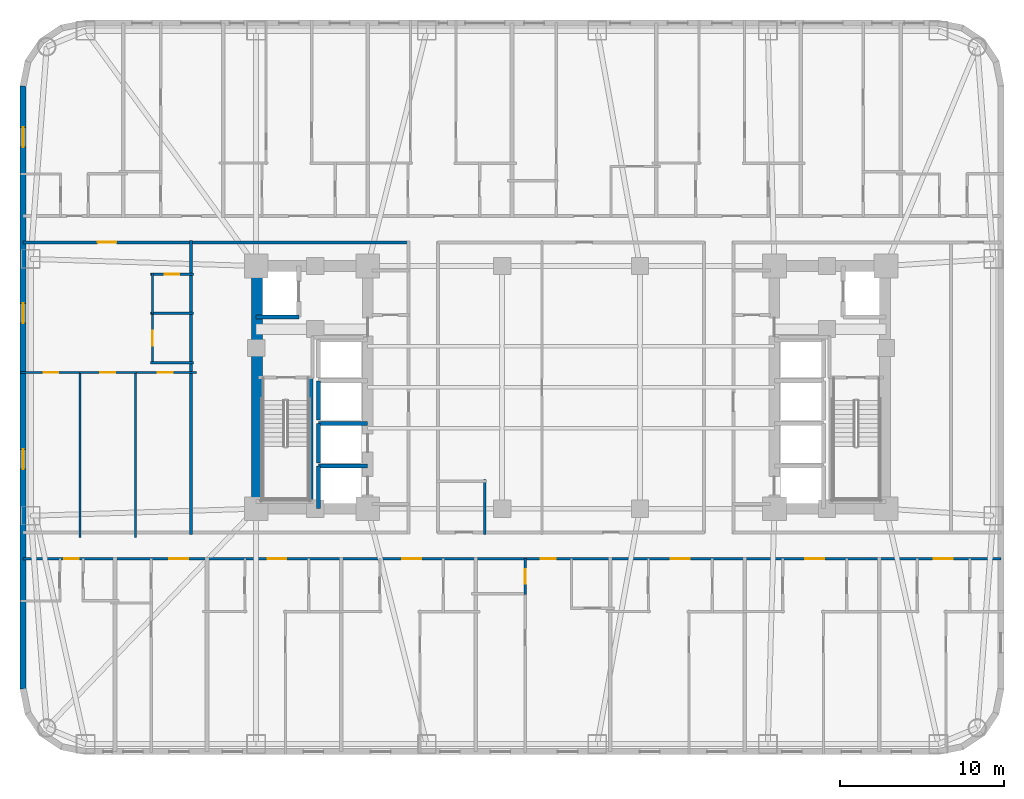
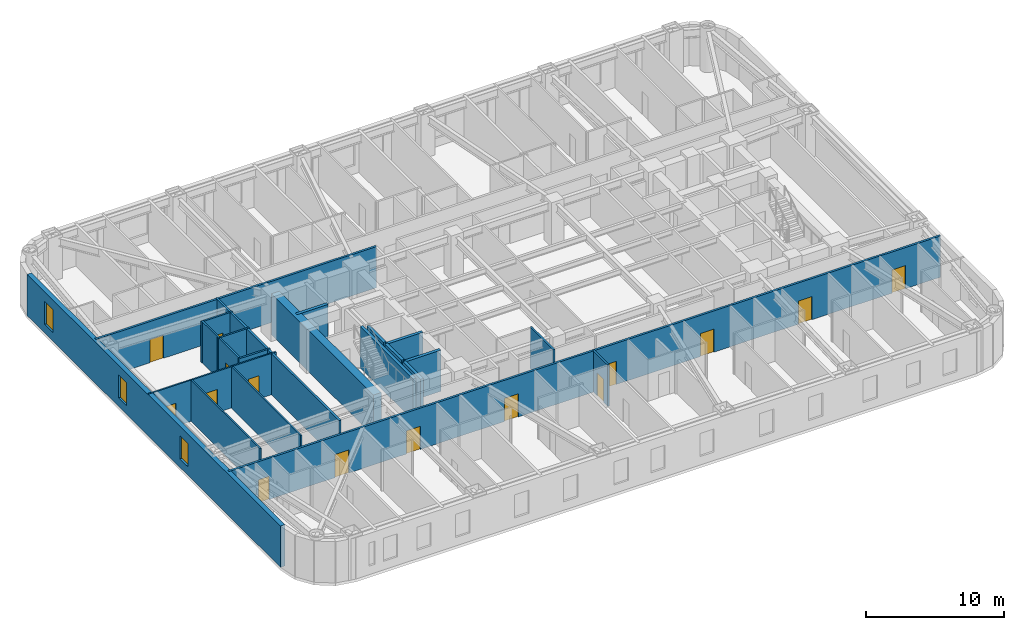
# One storey, part 4 of 12: 24 walls, 15 doors, 3 windows, 18 openings.
"""IFC4 building model written with IfcOpenShell, lengths in metres."""

from ifc_helpers import new_model, si_unit, direction, frame, frame_2d, origin, place, context, subcontext, project, spatial, rectangle, extrude, material, layer, layer_set, type_object, element, fill, save


model = new_model("IFC4")

# Units and contexts
model_context = context("Model", 3, precision=1e-05, world=origin(), true_north=direction((0.0, 1.0)))
body_context = subcontext(model_context, "Body", "Model", "MODEL_VIEW")
ifc_project = project(units=[si_unit("LENGTHUNIT", "METRE"), si_unit("AREAUNIT", "SQUARE_METRE"), si_unit("VOLUMEUNIT", "CUBIC_METRE"), si_unit("PLANEANGLEUNIT", "RADIAN"), si_unit("MASSUNIT", "GRAM", prefix="KILO")], contexts=[model_context])

# Site, building, storey
site_placement = place(None, origin())
site = spatial("IfcSite", under=ifc_project, at=site_placement, CompositionType="ELEMENT")
building_placement = place(site_placement, origin())
building = spatial("IfcBuilding", under=site, at=building_placement, Name="Voryun Gate Residences", CompositionType="ELEMENT")
storey_placement = place(building_placement, frame((0.0, 0.0, 72.800048828125)))
storey = spatial("IfcBuildingStorey", under=building, at=storey_placement, Name="L17", CompositionType="ELEMENT", Elevation=72.800048828125)

# Wall
ifc_material_1 = material(Name="Concrete C60/75", Category="concrete")
ifc_layer_1 = layer(ifc_material_1, 0.64990234375, Name="CW_CORE_650")
ifc_layer_set_1 = layer_set([ifc_layer_1], Name="Concrete C60/75")
wall_type_1 = type_object("IfcWallType", Name="CW_CORE_650", PredefinedType="SHEAR", material=ifc_layer_set_1)
wall_1_placement = place(storey_placement, frame((-19.14501953125, -7.39990234375, 0.0), z_axis=(0.0, 0.0, 1.0), x_axis=(0.0, 1.0, 0.0)))
element("IfcWall", 1, at=wall_1_placement, inside=storey, type_object=wall_type_1, Name="L17 Core shear wall CW-L17-WW", PredefinedType="SHEAR", context=body_context, shape_type="SweptSolid", body=[
    extrude(rectangle(XDim=14.7998046875, YDim=0.64990234375, at=frame_2d((7.39990234375, 0.0))), origin(), (0.0, 0.0, 1.0), 3.64990234375),
])

# Wall, opening, door
ifc_material_2 = material(Name="Gypsum acoustic fireboard")
ifc_layer_2 = layer(ifc_material_2, 0.179931640625, Name="W_CORR_RATED_180")
ifc_layer_set_2 = layer_set([ifc_layer_2], Name="Gypsum acoustic fireboard")
wall_type_2 = type_object("IfcWallType", Name="W_CORR_RATED_180", PredefinedType="PARTITIONING", material=ifc_layer_set_2)
wall_2_placement = place(storey_placement, frame((-33.409912109375, 8.840087890625, 0.0), z_axis=(0.0, 0.0, 1.0), x_axis=(1.0, 0.0, 0.0)))
wall_2 = element("IfcWall", 2, at=wall_2_placement, inside=storey, type_object=wall_type_2, Name="Partition wall WP-L17-CWING-WN", PredefinedType="PARTITIONING", context=body_context, shape_type="SweptSolid", body=[
    extrude(rectangle(XDim=23.530029296875, YDim=0.179931640625, at=frame_2d((11.76513671875, 0.0))), origin(), (0.0, 0.0, 1.0), 3.64990234375),
])
opening_1_placement = place(wall_2_placement, frame((4.540283203125, 0.0, 0.0)))
opening_1 = element("IfcOpeningElement", 3, at=opening_1_placement, cuts=wall_2, Name="Opening D-UNIT-1", PredefinedType="OPENING", context=body_context, shape_type="SweptSolid", body=[
    extrude(rectangle(XDim=1.14990234375, YDim=2.050048828125, at=frame_2d((0.574951171875, 1.02490234375))), frame((0.0, 0.099853515625, 0.0), z_axis=(0.0, -1.0, 0.0), x_axis=(1.0, 0.0, 0.0)), (0.0, 0.0, 1.0), 0.199951171875),
])
ifc_material_3 = material(Name="Armoured timber-clad fire door", Category="wood")
door_type_1 = type_object("IfcDoorType", Name="DR_UNIT_ENTRY_1150", OperationType="NOTDEFINED", PredefinedType="DOOR", material=ifc_material_3)
door_1_placement = place(opening_1_placement, origin())
door_1 = element("IfcDoor", 4, at=door_1_placement, inside=storey, type_object=door_type_1, Name="Door DR-L17-WE1N", OperationType="SINGLE_SWING_LEFT", OverallHeight=2.050048828125, OverallWidth=1.14990234375, PredefinedType="DOOR", context=body_context, shape_type="SweptSolid", body=[
    extrude(rectangle(XDim=1.14990234375, YDim=2.050048828125, at=frame_2d((0.574951171875, 1.02490234375))), frame((0.0, 0.02490234375, 0.0), z_axis=(0.0, -1.0, 0.0), x_axis=(1.0, 0.0, 0.0)), (0.0, 0.0, 1.0), 0.050048828125),
])
fill(opening_1, door_1)

# Wall, openings, doors
wall_3_placement = place(storey_placement, frame((-33.409912109375, -10.449951171875, 0.0), z_axis=(0.0, 0.0, 1.0), x_axis=(1.0, 0.0, 0.0)))
wall_3 = element("IfcWall", 5, at=wall_3_placement, inside=storey, type_object=wall_type_2, Name="Partition wall WP-L17-SCORR", PredefinedType="PARTITIONING", context=body_context, shape_type="SweptSolid", body=[
    extrude(rectangle(XDim=59.619873046875, YDim=0.179931640625, at=frame_2d((29.81005859375, 0.0))), origin(), (0.0, 0.0, 1.0), 3.64990234375),
])
opening_2_placement = place(wall_3_placement, frame((2.4951171875, 0.0, 0.0)))
opening_2 = element("IfcOpeningElement", 6, at=opening_2_placement, cuts=wall_3, Name="Opening D-INT-2", PredefinedType="OPENING", context=body_context, shape_type="SweptSolid", body=[
    extrude(rectangle(XDim=0.89990234375, YDim=2.050048828125, at=frame_2d((0.449951171875, 1.02490234375))), frame((0.0, 0.099853515625, 0.0), z_axis=(0.0, -1.0, 0.0), x_axis=(1.0, 0.0, 0.0)), (0.0, 0.0, 1.0), 0.199951171875),
])
opening_3_placement = place(wall_3_placement, frame((8.904541015625, 0.0, 0.0)))
opening_3 = element("IfcOpeningElement", 7, at=opening_3_placement, cuts=wall_3, Name="Opening D-UNIT-1", PredefinedType="OPENING", context=body_context, shape_type="SweptSolid", body=[
    extrude(rectangle(XDim=1.14990234375, YDim=2.050048828125, at=frame_2d((0.574951171875, 1.02490234375))), frame((0.0, 0.099853515625, 0.0), z_axis=(0.0, -1.0, 0.0), x_axis=(1.0, 0.0, 0.0)), (0.0, 0.0, 1.0), 0.199951171875),
])
opening_4_placement = place(wall_3_placement, frame((14.90234375, 0.0, 0.0)))
opening_4 = element("IfcOpeningElement", 8, at=opening_4_placement, cuts=wall_3, Name="Opening D-UNIT-1", PredefinedType="OPENING", context=body_context, shape_type="SweptSolid", body=[
    extrude(rectangle(XDim=1.14990234375, YDim=2.050048828125, at=frame_2d((0.574951171875, 1.02490234375))), frame((0.0, 0.099853515625, 0.0), z_axis=(0.0, -1.0, 0.0), x_axis=(1.0, 0.0, 0.0)), (0.0, 0.0, 1.0), 0.199951171875),
])
opening_5_placement = place(wall_3_placement, frame((23.112060546875, 0.0, 0.0)))
opening_5 = element("IfcOpeningElement", 9, at=opening_5_placement, cuts=wall_3, Name="Opening D-UNIT-1", PredefinedType="OPENING", context=body_context, shape_type="SweptSolid", body=[
    extrude(rectangle(XDim=1.14990234375, YDim=2.050048828125, at=frame_2d((0.574951171875, 1.02490234375))), frame((0.0, 0.099853515625, 0.0), z_axis=(0.0, -1.0, 0.0), x_axis=(1.0, 0.0, 0.0)), (0.0, 0.0, 1.0), 0.199951171875),
])
opening_6_placement = place(wall_3_placement, frame((31.572021484375, 0.0, 0.0)))
opening_6 = element("IfcOpeningElement", 10, at=opening_6_placement, cuts=wall_3, Name="Opening D-INT-2", PredefinedType="OPENING", context=body_context, shape_type="SweptSolid", body=[
    extrude(rectangle(XDim=0.89990234375, YDim=2.050048828125, at=frame_2d((0.449951171875, 1.02490234375))), frame((0.0, 0.099853515625, 0.0), z_axis=(0.0, -1.0, 0.0), x_axis=(1.0, 0.0, 0.0)), (0.0, 0.0, 1.0), 0.199951171875),
])
opening_7_placement = place(wall_3_placement, frame((39.501708984375, 0.0, 0.0)))
opening_7 = element("IfcOpeningElement", 11, at=opening_7_placement, cuts=wall_3, Name="Opening D-UNIT-1", PredefinedType="OPENING", context=body_context, shape_type="SweptSolid", body=[
    extrude(rectangle(XDim=1.14990234375, YDim=2.050048828125, at=frame_2d((0.574951171875, 1.02490234375))), frame((0.0, 0.099853515625, 0.0), z_axis=(0.0, -1.0, 0.0), x_axis=(1.0, 0.0, 0.0)), (0.0, 0.0, 1.0), 0.199951171875),
])
opening_8_placement = place(wall_3_placement, frame((47.69921875, 0.0, 0.0)))
opening_8 = element("IfcOpeningElement", 12, at=opening_8_placement, cuts=wall_3, Name="Opening D-UNIT-1", PredefinedType="OPENING", context=body_context, shape_type="SweptSolid", body=[
    extrude(rectangle(XDim=1.14990234375, YDim=2.050048828125, at=frame_2d((0.574951171875, 1.02490234375))), frame((0.0, 0.099853515625, 0.0), z_axis=(0.0, -1.0, 0.0), x_axis=(1.0, 0.0, 0.0)), (0.0, 0.0, 1.0), 0.199951171875),
])
opening_9_placement = place(wall_3_placement, frame((55.539306640625, 0.0, 0.0)))
opening_9 = element("IfcOpeningElement", 13, at=opening_9_placement, cuts=wall_3, Name="Opening D-UNIT-1", PredefinedType="OPENING", context=body_context, shape_type="SweptSolid", body=[
    extrude(rectangle(XDim=1.14990234375, YDim=2.050048828125, at=frame_2d((0.574951171875, 1.02490234375))), frame((0.0, 0.099853515625, 0.0), z_axis=(0.0, -1.0, 0.0), x_axis=(1.0, 0.0, 0.0)), (0.0, 0.0, 1.0), 0.199951171875),
])
ifc_material_4 = material(Name="Architectural oak veneer")
door_type_2 = type_object("IfcDoorType", Name="DR_INT_BATH_900", OperationType="NOTDEFINED", PredefinedType="DOOR", material=ifc_material_4)
door_2_placement = place(opening_2_placement, origin())
door_2 = element("IfcDoor", 14, at=door_2_placement, inside=storey, type_object=door_type_2, Name="Door DR-L17-SENT-1", OperationType="SINGLE_SWING_RIGHT", OverallHeight=2.050048828125, OverallWidth=0.89990234375, PredefinedType="DOOR", context=body_context, shape_type="SweptSolid", body=[
    extrude(rectangle(XDim=0.89990234375, YDim=2.050048828125, at=frame_2d((0.449951171875, 1.02490234375))), frame((0.0, 0.02490234375, 0.0), z_axis=(0.0, -1.0, 0.0), x_axis=(1.0, 0.0, 0.0)), (0.0, 0.0, 1.0), 0.050048828125),
])
fill(opening_2, door_2)
door_3_placement = place(opening_6_placement, origin())
door_3 = element("IfcDoor", 15, at=door_3_placement, inside=storey, type_object=door_type_2, Name="Door DR-L17-SENT-5", OperationType="SINGLE_SWING_RIGHT", OverallHeight=2.050048828125, OverallWidth=0.89990234375, PredefinedType="DOOR", context=body_context, shape_type="SweptSolid", body=[
    extrude(rectangle(XDim=0.89990234375, YDim=2.050048828125, at=frame_2d((0.449951171875, 1.02490234375))), frame((0.0, 0.02490234375, 0.0), z_axis=(0.0, -1.0, 0.0), x_axis=(1.0, 0.0, 0.0)), (0.0, 0.0, 1.0), 0.050048828125),
])
fill(opening_6, door_3)
door_4_placement = place(opening_3_placement, origin())
door_4 = element("IfcDoor", 16, at=door_4_placement, inside=storey, type_object=door_type_1, Name="Door DR-L17-SENT-2", OperationType="SINGLE_SWING_LEFT", OverallHeight=2.050048828125, OverallWidth=1.14990234375, PredefinedType="DOOR", context=body_context, shape_type="SweptSolid", body=[
    extrude(rectangle(XDim=1.14990234375, YDim=2.050048828125, at=frame_2d((0.574951171875, 1.02490234375))), frame((0.0, 0.02490234375, 0.0), z_axis=(0.0, -1.0, 0.0), x_axis=(1.0, 0.0, 0.0)), (0.0, 0.0, 1.0), 0.050048828125),
])
fill(opening_3, door_4)
door_5_placement = place(opening_4_placement, origin())
door_5 = element("IfcDoor", 17, at=door_5_placement, inside=storey, type_object=door_type_1, Name="Door DR-L17-SENT-3", OperationType="SINGLE_SWING_RIGHT", OverallHeight=2.050048828125, OverallWidth=1.14990234375, PredefinedType="DOOR", context=body_context, shape_type="SweptSolid", body=[
    extrude(rectangle(XDim=1.14990234375, YDim=2.050048828125, at=frame_2d((0.574951171875, 1.02490234375))), frame((0.0, 0.02490234375, 0.0), z_axis=(0.0, -1.0, 0.0), x_axis=(1.0, 0.0, 0.0)), (0.0, 0.0, 1.0), 0.050048828125),
])
fill(opening_4, door_5)
door_6_placement = place(opening_5_placement, origin())
door_6 = element("IfcDoor", 18, at=door_6_placement, inside=storey, type_object=door_type_1, Name="Door DR-L17-SENT-4", OperationType="SINGLE_SWING_LEFT", OverallHeight=2.050048828125, OverallWidth=1.14990234375, PredefinedType="DOOR", context=body_context, shape_type="SweptSolid", body=[
    extrude(rectangle(XDim=1.14990234375, YDim=2.050048828125, at=frame_2d((0.574951171875, 1.02490234375))), frame((0.0, 0.02490234375, 0.0), z_axis=(0.0, -1.0, 0.0), x_axis=(1.0, 0.0, 0.0)), (0.0, 0.0, 1.0), 0.050048828125),
])
fill(opening_5, door_6)
door_7_placement = place(opening_7_placement, origin())
door_7 = element("IfcDoor", 19, at=door_7_placement, inside=storey, type_object=door_type_1, Name="Door DR-L17-SENT-6", OperationType="SINGLE_SWING_LEFT", OverallHeight=2.050048828125, OverallWidth=1.14990234375, PredefinedType="DOOR", context=body_context, shape_type="SweptSolid", body=[
    extrude(rectangle(XDim=1.14990234375, YDim=2.050048828125, at=frame_2d((0.574951171875, 1.02490234375))), frame((0.0, 0.02490234375, 0.0), z_axis=(0.0, -1.0, 0.0), x_axis=(1.0, 0.0, 0.0)), (0.0, 0.0, 1.0), 0.050048828125),
])
fill(opening_7, door_7)
door_8_placement = place(opening_8_placement, origin())
door_8 = element("IfcDoor", 20, at=door_8_placement, inside=storey, type_object=door_type_1, Name="Door DR-L17-SENT-7", OperationType="SINGLE_SWING_RIGHT", OverallHeight=2.050048828125, OverallWidth=1.14990234375, PredefinedType="DOOR", context=body_context, shape_type="SweptSolid", body=[
    extrude(rectangle(XDim=1.14990234375, YDim=2.050048828125, at=frame_2d((0.574951171875, 1.02490234375))), frame((0.0, 0.02490234375, 0.0), z_axis=(0.0, -1.0, 0.0), x_axis=(1.0, 0.0, 0.0)), (0.0, 0.0, 1.0), 0.050048828125),
])
fill(opening_8, door_8)
door_9_placement = place(opening_9_placement, origin())
door_9 = element("IfcDoor", 21, at=door_9_placement, inside=storey, type_object=door_type_1, Name="Door DR-L17-SENT-8", OperationType="SINGLE_SWING_LEFT", OverallHeight=2.050048828125, OverallWidth=1.14990234375, PredefinedType="DOOR", context=body_context, shape_type="SweptSolid", body=[
    extrude(rectangle(XDim=1.14990234375, YDim=2.050048828125, at=frame_2d((0.574951171875, 1.02490234375))), frame((0.0, 0.02490234375, 0.0), z_axis=(0.0, -1.0, 0.0), x_axis=(1.0, 0.0, 0.0)), (0.0, 0.0, 1.0), 0.050048828125),
])
fill(opening_9, door_9)

# Wall
wall_4_placement = place(storey_placement, frame((-23.169921875, -8.9599609375, 0.0), z_axis=(0.0, 0.0, 1.0), x_axis=(0.0, 1.0, 0.0)))
element("IfcWall", 22, at=wall_4_placement, inside=storey, type_object=wall_type_2, Name="Partition wall WP-L17-WCOR", PredefinedType="PARTITIONING", context=body_context, shape_type="SweptSolid", body=[
    extrude(rectangle(XDim=17.919921875, YDim=0.179931640625, at=frame_2d((8.9599609375, 0.0))), origin(), (0.0, 0.0, 1.0), 3.64990234375),
])

# Wall, openings, windows
ifc_material_5 = material(Name="Granite masonry", Category="masonry")
ifc_layer_3 = layer(ifc_material_5, 0.3798828125, Name="W_EXT_GRANITE_380")
ifc_layer_set_3 = layer_set([ifc_layer_3], Name="Granite masonry")
wall_type_3 = type_object("IfcWallType", Name="W_EXT_GRANITE_380", PredefinedType="ELEMENTEDWALL", material=ifc_layer_set_3)
wall_5_placement = place(storey_placement, frame((-33.409912109375, -18.38134765625, 0.0), z_axis=(0.0, 0.0, 1.0), x_axis=(0.0, 1.0, 0.0)))
wall_5 = element("IfcWall", 23, at=wall_5_placement, inside=storey, type_object=wall_type_3, Name="Exterior wall WEXT-L17-06", PredefinedType="ELEMENTEDWALL", context=body_context, shape_type="SweptSolid", body=[
    extrude(rectangle(XDim=36.7626953125, YDim=0.3798828125, at=frame_2d((18.38134765625, 0.0))), origin(), (0.0, 0.0, 1.0), 3.64990234375),
])
opening_10_placement = place(wall_5_placement, frame((33.031982421875, 0.0, 0.75)))
opening_10 = element("IfcOpeningElement", 24, at=opening_10_placement, cuts=wall_5, Name="Opening WN6", PredefinedType="OPENING", context=body_context, shape_type="SweptSolid", body=[
    extrude(rectangle(XDim=1.199951171875, YDim=2.050048828125, at=frame_2d((0.60009765625, 1.02490234375))), frame((0.0, 0.199951171875, 0.0), z_axis=(0.0, -1.0, 0.0), x_axis=(1.0, 0.0, 0.0)), (0.0, 0.0, 1.0), 0.39990234375),
])
opening_11_placement = place(wall_5_placement, frame((22.30126953125, 0.0, 0.75)))
opening_11 = element("IfcOpeningElement", 25, at=opening_11_placement, cuts=wall_5, Name="Opening WN6", PredefinedType="OPENING", context=body_context, shape_type="SweptSolid", body=[
    extrude(rectangle(XDim=1.199951171875, YDim=2.050048828125, at=frame_2d((0.60009765625, 1.02490234375))), frame((0.0, 0.199951171875, 0.0), z_axis=(0.0, -1.0, 0.0), x_axis=(1.0, 0.0, 0.0)), (0.0, 0.0, 1.0), 0.39990234375),
])
opening_12_placement = place(wall_5_placement, frame((13.4013671875, 0.0, 0.75)))
opening_12 = element("IfcOpeningElement", 26, at=opening_12_placement, cuts=wall_5, Name="Opening WN6", PredefinedType="OPENING", context=body_context, shape_type="SweptSolid", body=[
    extrude(rectangle(XDim=1.199951171875, YDim=2.050048828125, at=frame_2d((0.60009765625, 1.02490234375))), frame((0.0, 0.199951171875, 0.0), z_axis=(0.0, -1.0, 0.0), x_axis=(1.0, 0.0, 0.0)), (0.0, 0.0, 1.0), 0.39990234375),
])
ifc_material_6 = material(Name="Laminated low-E glass", Category="glass")
window_type = type_object("IfcWindowType", Name="WN_POD_SLOT_1200", PartitioningType="SINGLE_PANEL", PredefinedType="WINDOW", material=ifc_material_6)
window_1_placement = place(opening_10_placement, origin())
window_1 = element("IfcWindow", 27, at=window_1_placement, inside=storey, type_object=window_type, Name="Window WN-L17-DWFIX-01", OverallHeight=2.050048828125, OverallWidth=1.199951171875, PartitioningType="SINGLE_PANEL", PredefinedType="WINDOW", context=body_context, shape_type="SweptSolid", body=[
    extrude(rectangle(XDim=1.199951171875, YDim=2.050048828125, at=frame_2d((0.60009765625, 1.02490234375))), frame((0.0, 0.030029296875, 0.0), z_axis=(0.0, -1.0, 0.0), x_axis=(1.0, 0.0, 0.0)), (0.0, 0.0, 1.0), 0.06005859375),
])
fill(opening_10, window_1)
window_2_placement = place(opening_11_placement, origin())
window_2 = element("IfcWindow", 28, at=window_2_placement, inside=storey, type_object=window_type, Name="Window WN-L17-DWFIX-30", OverallHeight=2.050048828125, OverallWidth=1.199951171875, PartitioningType="SINGLE_PANEL", PredefinedType="WINDOW", context=body_context, shape_type="SweptSolid", body=[
    extrude(rectangle(XDim=1.199951171875, YDim=2.050048828125, at=frame_2d((0.60009765625, 1.02490234375))), frame((0.0, 0.030029296875, 0.0), z_axis=(0.0, -1.0, 0.0), x_axis=(1.0, 0.0, 0.0)), (0.0, 0.0, 1.0), 0.06005859375),
])
fill(opening_11, window_2)
window_3_placement = place(opening_12_placement, origin())
window_3 = element("IfcWindow", 29, at=window_3_placement, inside=storey, type_object=window_type, Name="Window WN-L17-DWFIX-31", OverallHeight=2.050048828125, OverallWidth=1.199951171875, PartitioningType="SINGLE_PANEL", PredefinedType="WINDOW", context=body_context, shape_type="SweptSolid", body=[
    extrude(rectangle(XDim=1.199951171875, YDim=2.050048828125, at=frame_2d((0.60009765625, 1.02490234375))), frame((0.0, 0.030029296875, 0.0), z_axis=(0.0, -1.0, 0.0), x_axis=(1.0, 0.0, 0.0)), (0.0, 0.0, 1.0), 0.06005859375),
])
fill(opening_12, window_3)

# Walls
ifc_material_7 = material(Name="Concrete C50/60", Category="concrete")
ifc_layer_4 = layer(ifc_material_7, 0.25, Name="W_SHAFT_RC250")
ifc_layer_set_4 = layer_set([ifc_layer_4], Name="Concrete C50/60")
wall_type_4 = type_object("IfcWallType", Name="W_SHAFT_RC250", PredefinedType="SOLIDWALL", material=ifc_layer_set_4)
wall_6_placement = place(storey_placement, frame((-15.860107421875, -7.0849609375, 0.0), z_axis=(0.0, 0.0, 1.0), x_axis=(0.0, 1.0, 0.0)))
element("IfcWall", 30, at=wall_6_placement, inside=storey, type_object=wall_type_4, Name="L17 Stair shaft structural wall W-STR", PredefinedType="SOLIDWALL", context=body_context, shape_type="SweptSolid", body=[
    extrude(rectangle(XDim=7.68505859375, YDim=0.25, at=frame_2d((3.842529296875, 0.0))), origin(), (0.0, 0.0, 1.0), 3.64990234375),
])
wall_7_placement = place(storey_placement, frame((-19.199951171875, 4.300048828125, 0.0), z_axis=(0.0, 0.0, 1.0), x_axis=(1.0, 0.0, 0.0)))
element("IfcWall", 31, at=wall_7_placement, inside=storey, type_object=wall_type_4, Name="Lift shaft wall WSH-L17-EL-FF-W1-S", PredefinedType="SOLIDWALL", context=body_context, shape_type="SweptSolid", body=[
    extrude(rectangle(XDim=2.599853515625, YDim=0.25, at=frame_2d((1.2998046875, 0.0))), origin(), (0.0, 0.0, 1.0), 3.64990234375),
])
wall_8_placement = place(storey_placement, frame((-12.39990234375, -4.800048828125, 0.0), z_axis=(0.0, 0.0, 1.0), x_axis=(-1.0, 0.0, 0.0)))
element("IfcWall", 32, at=wall_8_placement, inside=storey, type_object=wall_type_4, Name="Lift shaft wall WSH-L17-EL-P1-N", PredefinedType="SOLIDWALL", context=body_context, shape_type="SweptSolid", body=[
    extrude(rectangle(XDim=3.0, YDim=0.25, at=frame_2d((1.5, 0.0))), origin(), (0.0, 0.0, 1.0), 3.64990234375),
])
wall_9_placement = place(storey_placement, frame((-15.39990234375, -4.800048828125, 0.0), z_axis=(0.0, 0.0, 1.0), x_axis=(0.0, -1.0, 0.0)))
element("IfcWall", 33, at=wall_9_placement, inside=storey, type_object=wall_type_4, Name="Lift shaft wall WSH-L17-EL-P1-W", PredefinedType="SOLIDWALL", context=body_context, shape_type="SweptSolid", body=[
    extrude(rectangle(XDim=2.599853515625, YDim=0.25, at=frame_2d((1.2998046875, 0.0))), origin(), (0.0, 0.0, 1.0), 3.64990234375),
])
wall_10_placement = place(storey_placement, frame((-12.39990234375, -2.199951171875, 0.0), z_axis=(0.0, 0.0, 1.0), x_axis=(-1.0, 0.0, 0.0)))
element("IfcWall", 34, at=wall_10_placement, inside=storey, type_object=wall_type_4, Name="Lift shaft wall WSH-L17-EL-P2-N", PredefinedType="SOLIDWALL", context=body_context, shape_type="SweptSolid", body=[
    extrude(rectangle(XDim=3.0, YDim=0.25, at=frame_2d((1.5, 0.0))), origin(), (0.0, 0.0, 1.0), 3.64990234375),
])
wall_11_placement = place(storey_placement, frame((-15.39990234375, -2.199951171875, 0.0), z_axis=(0.0, 0.0, 1.0), x_axis=(0.0, -1.0, 0.0)))
element("IfcWall", 35, at=wall_11_placement, inside=storey, type_object=wall_type_4, Name="Lift shaft wall WSH-L17-EL-P2-W", PredefinedType="SOLIDWALL", context=body_context, shape_type="SweptSolid", body=[
    extrude(rectangle(XDim=2.400146484375, YDim=0.25, at=frame_2d((1.2001953125, 0.0))), origin(), (0.0, 0.0, 1.0), 3.64990234375),
])
wall_12_placement = place(storey_placement, frame((-15.39990234375, 0.39990234375, 0.0), z_axis=(0.0, 0.0, 1.0), x_axis=(0.0, -1.0, 0.0)))
element("IfcWall", 36, at=wall_12_placement, inside=storey, type_object=wall_type_4, Name="Lift shaft wall WSH-L17-EL-P4-W", PredefinedType="SOLIDWALL", context=body_context, shape_type="SweptSolid", body=[
    extrude(rectangle(XDim=2.39990234375, YDim=0.25, at=frame_2d((1.199951171875, 0.0))), origin(), (0.0, 0.0, 1.0), 3.64990234375),
])

# Wall, opening, door
ifc_material_8 = material(Name="Gypsum acoustic partition")
ifc_layer_5 = layer(ifc_material_8, 0.125, Name="W_UNIT_PART_125")
ifc_layer_set_5 = layer_set([ifc_layer_5], Name="Gypsum acoustic partition")
wall_type_5 = type_object("IfcWallType", Name="W_UNIT_PART_125", PredefinedType="PARTITIONING", material=ifc_layer_set_5)
wall_13_placement = place(storey_placement, frame((-33.56005859375, 0.909912109375, 0.0), z_axis=(0.0, 0.0, 1.0), x_axis=(1.0, 0.0, 0.0)))
wall_13 = element("IfcWall", 37, at=wall_13_placement, inside=storey, type_object=wall_type_5, Name="Partition wall WP-L17-W1-HZMB1", PredefinedType="PARTITIONING", context=body_context, shape_type="SweptSolid", body=[
    extrude(rectangle(XDim=3.689453125, YDim=0.125, at=frame_2d((1.8447265625, 0.0))), origin(), (0.0, 0.0, 1.0), 3.64990234375),
])
opening_13_placement = place(wall_13_placement, frame((1.403564453125, 0.0, 0.0)))
opening_13 = element("IfcOpeningElement", 38, at=opening_13_placement, cuts=wall_13, Name="Opening D-INT-2", PredefinedType="OPENING", context=body_context, shape_type="SweptSolid", body=[
    extrude(rectangle(XDim=0.89990234375, YDim=2.050048828125, at=frame_2d((0.449951171875, 1.02490234375))), frame((0.0, 0.072509765625, 0.0), z_axis=(0.0, -1.0, 0.0), x_axis=(1.0, 0.0, 0.0)), (0.0, 0.0, 1.0), 0.14501953125),
])
door_10_placement = place(opening_13_placement, origin())
door_10 = element("IfcDoor", 39, at=door_10_placement, inside=storey, type_object=door_type_2, Name="Door DR-L17-W1-DMB", OperationType="SINGLE_SWING_LEFT", OverallHeight=2.050048828125, OverallWidth=0.89990234375, PredefinedType="DOOR", context=body_context, shape_type="SweptSolid", body=[
    extrude(rectangle(XDim=0.89990234375, YDim=2.050048828125, at=frame_2d((0.449951171875, 1.02490234375))), frame((0.0, 0.02490234375, 0.0), z_axis=(0.0, -1.0, 0.0), x_axis=(1.0, 0.0, 0.0)), (0.0, 0.0, 1.0), 0.050048828125),
])
fill(opening_13, door_10)

wall_14_placement = place(storey_placement, frame((-29.99560546875, 0.909912109375, 0.0), z_axis=(0.0, 0.0, 1.0), x_axis=(1.0, 0.0, 0.0)))
wall_14 = element("IfcWall", 40, at=wall_14_placement, inside=storey, type_object=wall_type_5, Name="Partition wall WP-L17-W1-HZMB2", PredefinedType="PARTITIONING", context=body_context, shape_type="SweptSolid", body=[
    extrude(rectangle(XDim=3.506103515625, YDim=0.125, at=frame_2d((1.7529296875, 0.0))), origin(), (0.0, 0.0, 1.0), 3.64990234375),
])
opening_14_placement = place(wall_14_placement, frame((1.302978515625, 0.0, 0.0)))
opening_14 = element("IfcOpeningElement", 41, at=opening_14_placement, cuts=wall_14, Name="Opening D-INT-2", PredefinedType="OPENING", context=body_context, shape_type="SweptSolid", body=[
    extrude(rectangle(XDim=0.89990234375, YDim=2.050048828125, at=frame_2d((0.449951171875, 1.02490234375))), frame((0.0, 0.072509765625, 0.0), z_axis=(0.0, -1.0, 0.0), x_axis=(1.0, 0.0, 0.0)), (0.0, 0.0, 1.0), 0.14501953125),
])
door_11_placement = place(opening_14_placement, origin())
door_11 = element("IfcDoor", 42, at=door_11_placement, inside=storey, type_object=door_type_2, Name="Door DR-L17-W1-DBD2", OperationType="SINGLE_SWING_RIGHT", OverallHeight=2.050048828125, OverallWidth=0.89990234375, PredefinedType="DOOR", context=body_context, shape_type="SweptSolid", body=[
    extrude(rectangle(XDim=0.89990234375, YDim=2.050048828125, at=frame_2d((0.449951171875, 1.02490234375))), frame((0.0, 0.02490234375, 0.0), z_axis=(0.0, -1.0, 0.0), x_axis=(1.0, 0.0, 0.0)), (0.0, 0.0, 1.0), 0.050048828125),
])
fill(opening_14, door_11)

wall_15_placement = place(storey_placement, frame((-26.614501953125, 0.909912109375, 0.0), z_axis=(0.0, 0.0, 1.0), x_axis=(1.0, 0.0, 0.0)))
wall_15 = element("IfcWall", 43, at=wall_15_placement, inside=storey, type_object=wall_type_5, Name="Partition wall WP-L17-W1-HZMB3", PredefinedType="PARTITIONING", context=body_context, shape_type="SweptSolid", body=[
    extrude(rectangle(XDim=3.764404296875, YDim=0.125, at=frame_2d((1.88232421875, 0.0))), origin(), (0.0, 0.0, 1.0), 3.64990234375),
])
opening_15_placement = place(wall_15_placement, frame((1.423583984375, 0.0, 0.0)))
opening_15 = element("IfcOpeningElement", 44, at=opening_15_placement, cuts=wall_15, Name="Opening D-INT-2", PredefinedType="OPENING", context=body_context, shape_type="SweptSolid", body=[
    extrude(rectangle(XDim=0.89990234375, YDim=2.050048828125, at=frame_2d((0.449951171875, 1.02490234375))), frame((0.0, 0.072509765625, 0.0), z_axis=(0.0, -1.0, 0.0), x_axis=(1.0, 0.0, 0.0)), (0.0, 0.0, 1.0), 0.14501953125),
])
door_12_placement = place(opening_15_placement, origin())
door_12 = element("IfcDoor", 45, at=door_12_placement, inside=storey, type_object=door_type_2, Name="Door DR-L17-W1-DBD3", OperationType="SINGLE_SWING_LEFT", OverallHeight=2.050048828125, OverallWidth=0.89990234375, PredefinedType="DOOR", context=body_context, shape_type="SweptSolid", body=[
    extrude(rectangle(XDim=0.89990234375, YDim=2.050048828125, at=frame_2d((0.449951171875, 1.02490234375))), frame((0.0, 0.02490234375, 0.0), z_axis=(0.0, -1.0, 0.0), x_axis=(1.0, 0.0, 0.0)), (0.0, 0.0, 1.0), 0.050048828125),
])
fill(opening_15, door_12)

# Walls
for number, where, z_axis, x_axis, name in (
    (46, (-26.552001953125, -9.159912109375, 0.0), (0.0, 0.0, 1.0), (0.0, 1.0, 0.0), "Partition wall WP-L17-W1-VMB2"),
    (47, (-29.93310546875, -9.159912109375, 0.0), (0.0, 0.0, 1.0), (0.0, 1.0, 0.0), "Partition wall WP-L17-W1-VMB"),
):
    element("IfcWall", number, at=place(storey_placement, frame(where, z_axis=z_axis, x_axis=x_axis)), inside=storey, type_object=wall_type_5, Name=name, PredefinedType="PARTITIONING", context=body_context, shape_type="SweptSolid", body=[
        extrude(rectangle(XDim=10.1298828125, YDim=0.125, at=frame_2d((5.06494140625, 0.0))), origin(), (0.0, 0.0, 1.0), 3.64990234375),
    ])
ifc_material_9 = material(Name="Gypsum moisture-resistant partition")
ifc_layer_6 = layer(ifc_material_9, 0.14990234375, Name="W_WET_PLUMB_150")
ifc_layer_set_6 = layer_set([ifc_layer_6], Name="Gypsum moisture-resistant partition")
wall_type_6 = type_object("IfcWallType", Name="W_WET_PLUMB_150", PredefinedType="PLUMBINGWALL", material=ifc_layer_set_6)
wall_16_placement = place(storey_placement, frame((-5.260009765625, -8.969970703125, 0.0), z_axis=(0.0, 0.0, 1.0), x_axis=(0.0, 1.0, 0.0)))
element("IfcWall", 48, at=wall_16_placement, inside=storey, type_object=wall_type_6, Name="Partition wall WP-L17-CMWCX", PredefinedType="PLUMBINGWALL", context=body_context, shape_type="SweptSolid", body=[
    extrude(rectangle(XDim=3.349853515625, YDim=0.14990234375, at=frame_2d((1.6748046875, 0.0))), origin(), (0.0, 0.0, 1.0), 3.64990234375),
])

# Wall, opening, door
wall_17_placement = place(storey_placement, frame((-2.799072265625, -12.6298828125, 0.0), z_axis=(0.0, 0.0, 1.0), x_axis=(0.0, 1.0, 0.0)))
wall_17 = element("IfcWall", 49, at=wall_17_placement, inside=storey, type_object=wall_type_6, Name="Partition wall WP-L17-S5-LVX2", PredefinedType="PLUMBINGWALL", context=body_context, shape_type="SweptSolid", body=[
    extrude(rectangle(XDim=2.199951171875, YDim=0.14990234375, at=frame_2d((1.10009765625, 0.0))), origin(), (0.0, 0.0, 1.0), 3.64990234375),
])
opening_16_placement = place(wall_17_placement, frame((0.64990234375, 0.0, 0.0)))
opening_16 = element("IfcOpeningElement", 50, at=opening_16_placement, cuts=wall_17, Name="Opening D-INT-2", PredefinedType="OPENING", context=body_context, shape_type="SweptSolid", body=[
    extrude(rectangle(XDim=0.89990234375, YDim=2.050048828125, at=frame_2d((0.449951171875, 1.02490234375))), frame((0.0, 0.0849609375, 0.0), z_axis=(0.0, -1.0, 0.0), x_axis=(1.0, 0.0, 0.0)), (0.0, 0.0, 1.0), 0.169921875),
])
door_13_placement = place(opening_16_placement, origin())
door_13 = element("IfcDoor", 51, at=door_13_placement, inside=storey, type_object=door_type_2, Name="Door DR-L17-S5-DB", OperationType="SINGLE_SWING_RIGHT", OverallHeight=2.050048828125, OverallWidth=0.89990234375, PredefinedType="DOOR", context=body_context, shape_type="SweptSolid", body=[
    extrude(rectangle(XDim=0.89990234375, YDim=2.050048828125, at=frame_2d((0.449951171875, 1.02490234375))), frame((0.0, 0.02490234375, 0.0), z_axis=(0.0, -1.0, 0.0), x_axis=(1.0, 0.0, 0.0)), (0.0, 0.0, 1.0), 0.050048828125),
])
fill(opening_16, door_13)

wall_18_placement = place(storey_placement, frame((-25.639892578125, 6.89990234375, 0.0), z_axis=(0.0, 0.0, 1.0), x_axis=(1.0, 0.0, 0.0)))
wall_18 = element("IfcWall", 52, at=wall_18_placement, inside=storey, type_object=wall_type_6, Name="Partition wall WP-L17-W1-IBT", PredefinedType="PLUMBINGWALL", context=body_context, shape_type="SweptSolid", body=[
    extrude(rectangle(XDim=2.619873046875, YDim=0.14990234375, at=frame_2d((1.31005859375, 0.0))), origin(), (0.0, 0.0, 1.0), 3.64990234375),
])
opening_17_placement = place(wall_18_placement, frame((0.860107421875, 0.0, 0.0)))
opening_17 = element("IfcOpeningElement", 53, at=opening_17_placement, cuts=wall_18, Name="Opening D-INT-2", PredefinedType="OPENING", context=body_context, shape_type="SweptSolid", body=[
    extrude(rectangle(XDim=0.89990234375, YDim=2.050048828125, at=frame_2d((0.449951171875, 1.02490234375))), frame((0.0, 0.0849609375, 0.0), z_axis=(0.0, -1.0, 0.0), x_axis=(1.0, 0.0, 0.0)), (0.0, 0.0, 1.0), 0.169921875),
])
door_14_placement = place(opening_17_placement, origin())
door_14 = element("IfcDoor", 54, at=door_14_placement, inside=storey, type_object=door_type_2, Name="Door DR-L17-W1-DK", OperationType="SINGLE_SWING_LEFT", OverallHeight=2.050048828125, OverallWidth=0.89990234375, PredefinedType="DOOR", context=body_context, shape_type="SweptSolid", body=[
    extrude(rectangle(XDim=0.89990234375, YDim=2.050048828125, at=frame_2d((0.449951171875, 1.02490234375))), frame((0.0, 0.02490234375, 0.0), z_axis=(0.0, -1.0, 0.0), x_axis=(1.0, 0.0, 0.0)), (0.0, 0.0, 1.0), 0.050048828125),
])
fill(opening_17, door_14)

# Walls
for number, where, z_axis, x_axis, name in (
    (55, (-25.639892578125, 4.52001953125, 0.0), (0.0, 0.0, 1.0), (1.0, 0.0, 0.0), "Partition wall WP-L17-W1-IKB"),
    (56, (-25.639892578125, 1.5, 0.0), (0.0, 0.0, 1.0), (1.0, 0.0, 0.0), "Partition wall WP-L17-W1-IBB"),
):
    element("IfcWall", number, at=place(storey_placement, frame(where, z_axis=z_axis, x_axis=x_axis)), inside=storey, type_object=wall_type_6, Name=name, PredefinedType="PLUMBINGWALL", context=body_context, shape_type="SweptSolid", body=[
        extrude(rectangle(XDim=2.619873046875, YDim=0.14990234375, at=frame_2d((1.31005859375, 0.0))), origin(), (0.0, 0.0, 1.0), 3.64990234375),
    ])

# Wall, opening, door
wall_19_placement = place(storey_placement, frame((-25.52001953125, 1.43994140625, 0.0), z_axis=(0.0, 0.0, 1.0), x_axis=(0.0, 1.0, 0.0)))
wall_19 = element("IfcWall", 57, at=wall_19_placement, inside=storey, type_object=wall_type_6, Name="Partition wall WP-L17-W1-VTSK1", PredefinedType="PLUMBINGWALL", context=body_context, shape_type="SweptSolid", body=[
    extrude(rectangle(XDim=3.1201171875, YDim=0.14990234375, at=frame_2d((1.56005859375, 0.0))), origin(), (0.0, 0.0, 1.0), 3.64990234375),
])
opening_18_placement = place(wall_19_placement, frame((1.110107421875, 0.0, 0.0)))
opening_18 = element("IfcOpeningElement", 58, at=opening_18_placement, cuts=wall_19, Name="Opening D-INT-2", PredefinedType="OPENING", context=body_context, shape_type="SweptSolid", body=[
    extrude(rectangle(XDim=0.89990234375, YDim=2.050048828125, at=frame_2d((0.449951171875, 1.02490234375))), frame((0.0, 0.0849609375, 0.0), z_axis=(0.0, -1.0, 0.0), x_axis=(1.0, 0.0, 0.0)), (0.0, 0.0, 1.0), 0.169921875),
])
door_15_placement = place(opening_18_placement, origin())
door_15 = element("IfcDoor", 59, at=door_15_placement, inside=storey, type_object=door_type_2, Name="Door DR-L17-W1-DB", OperationType="SINGLE_SWING_RIGHT", OverallHeight=2.050048828125, OverallWidth=0.89990234375, PredefinedType="DOOR", context=body_context, shape_type="SweptSolid", body=[
    extrude(rectangle(XDim=0.89990234375, YDim=2.050048828125, at=frame_2d((0.449951171875, 1.02490234375))), frame((0.0, 0.02490234375, 0.0), z_axis=(0.0, -1.0, 0.0), x_axis=(1.0, 0.0, 0.0)), (0.0, 0.0, 1.0), 0.050048828125),
])
fill(opening_18, door_15)

# Wall
wall_20_placement = place(storey_placement, frame((-25.52001953125, 4.47998046875, 0.0), z_axis=(0.0, 0.0, 1.0), x_axis=(0.0, 1.0, 0.0)))
element("IfcWall", 60, at=wall_20_placement, inside=storey, type_object=wall_type_6, Name="Partition wall WP-L17-W1-VTSK2", PredefinedType="PLUMBINGWALL", context=body_context, shape_type="SweptSolid", body=[
    extrude(rectangle(XDim=2.47998046875, YDim=0.14990234375, at=frame_2d((1.239990234375, 0.0))), origin(), (0.0, 0.0, 1.0), 3.64990234375),
])

save(model, "model.ifc")
